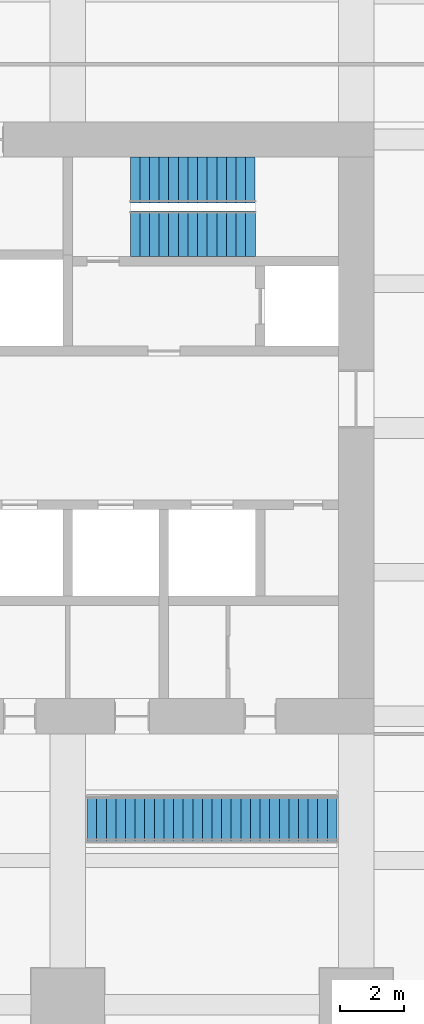
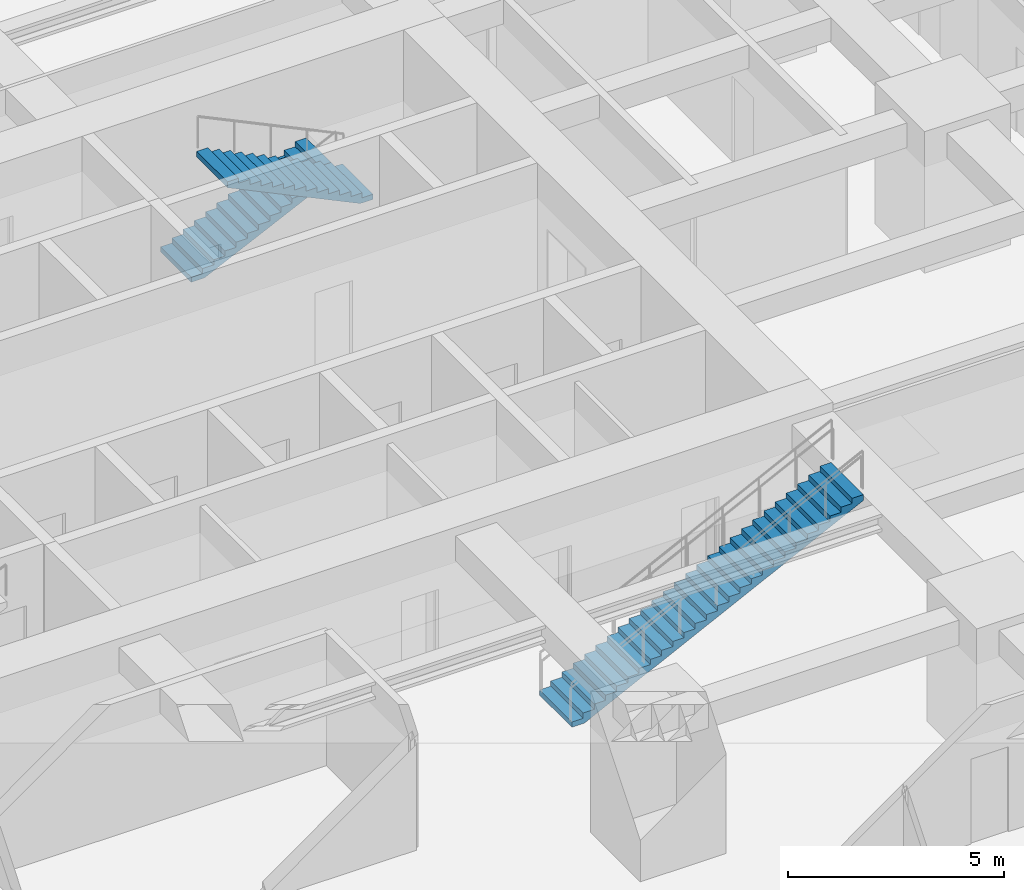
# One storey, part 43 of 45: 3 stair flights, 2 elements without a shape of their own.
"""IFC4 building model written with IfcOpenShell, lengths in metres."""

from ifc_helpers import new_model, si_unit, direction, frame, origin, place, context, subcontext, project, spatial, polyline, outline, extrude, material, constituent, constituent_set, type_object, element, aggregate, save


model = new_model("IFC4")

# Units and contexts
model_context = context("Model", 3, precision=1e-05, world=origin(), true_north=direction((0.0, 1.0)))
body_context = subcontext(model_context, "Body", "Model", "MODEL_VIEW")
ifc_project = project(units=[si_unit("LENGTHUNIT", "METRE"), si_unit("AREAUNIT", "SQUARE_METRE"), si_unit("VOLUMEUNIT", "CUBIC_METRE"), si_unit("PLANEANGLEUNIT", "RADIAN"), si_unit("MASSUNIT", "GRAM", prefix="KILO")], contexts=[model_context])

# Site, building, storey
site_placement = place(None, origin())
site = spatial("IfcSite", under=ifc_project, at=site_placement, CompositionType="ELEMENT")
building_placement = place(site_placement, origin())
building = spatial("IfcBuilding", under=site, at=building_placement, Name="Zorevar Civic Tower", CompositionType="ELEMENT")
storey_placement = place(building_placement, frame((0.0, 0.0, 23.800048828125)))
storey = spatial("IfcBuildingStorey", under=building, at=storey_placement, Name="L05", CompositionType="ELEMENT", Elevation=23.800048828125)

# Stair, stair flight
ifc_material_1 = material(Name="Steel S355", Category="steel")
ifc_constituent_1 = constituent(ifc_material_1, Name="Structure")
ifc_material_2 = material(Name="Stone treads", Category="masonry")
ifc_constituent_2 = constituent(ifc_material_2, Name="Finish")
ifc_constituent_set_1 = constituent_set(constituents=[ifc_constituent_1, ifc_constituent_2], Name="Steel S355")
stair_type_1 = type_object("IfcStairType", Name="Interconnecting stair IS1", PredefinedType="STRAIGHT_RUN_STAIR", material=ifc_constituent_set_1)
stair_1_placement = place(storey_placement, origin())
stair_1 = element("IfcStair", 1, at=stair_1_placement, inside=storey, type_object=stair_type_1, Name="Interconnecting stair IS1 L05 to L06", PredefinedType="STRAIGHT_RUN_STAIR")
ifc_material_3 = material(Name="Steel S355", Category="steel")
ifc_constituent_3 = constituent(ifc_material_3, Name="Structure")
ifc_material_4 = material(Name="Stone treads", Category="masonry")
ifc_constituent_4 = constituent(ifc_material_4, Name="Finish")
ifc_constituent_set_2 = constituent_set(constituents=[ifc_constituent_3, ifc_constituent_4], Name="Steel S355")
stair_flight_type_1 = type_object("IfcStairFlightType", Name="Interconnecting stair flight", PredefinedType="STRAIGHT", material=ifc_constituent_set_2)
stair_flight_1_placement = place(storey_placement, frame((36.60009765625, 14.800048828125, 0.0), z_axis=(0.0, 0.0, 1.0), x_axis=(1.0, 0.0, 0.0)))
stair_flight_1 = element("IfcStairFlight", 2, at=stair_flight_1_placement, type_object=stair_flight_type_1, Name="IS1 flight 1", NumberOfRisers=27, NumberOfTreads=26, PredefinedType="STRAIGHT", RiserHeight=0.148148148, TreadLength=0.3, context=body_context, shape_type="SweptSolid", body=[
    extrude(outline(polyline([(0.0, 0.0), (0.0, 0.148193359375), (0.300048828125, 0.148193359375), (0.300048828125, 0.29638671875), (0.60009765625, 0.29638671875), (0.60009765625, 0.4443359375), (0.89990234375, 0.4443359375), (0.89990234375, 0.592529296875), (1.199951171875, 0.592529296875), (1.199951171875, 0.74072265625), (1.5, 0.74072265625), (1.5, 0.888916015625), (1.800048828125, 0.888916015625), (1.800048828125, 1.037109375), (2.10009765625, 1.037109375), (2.10009765625, 1.185302734375), (2.39990234375, 1.185302734375), (2.39990234375, 1.333251953125), (2.699951171875, 1.333251953125), (2.699951171875, 1.4814453125), (3.0, 1.4814453125), (3.0, 1.629638671875), (3.300048828125, 1.629638671875), (3.300048828125, 1.77783203125), (3.60009765625, 1.77783203125), (3.60009765625, 1.926025390625), (3.89990234375, 1.926025390625), (3.89990234375, 2.073974609375), (4.199951171875, 2.073974609375), (4.199951171875, 2.22216796875), (4.5, 2.22216796875), (4.5, 2.370361328125), (4.800048828125, 2.370361328125), (4.800048828125, 2.5185546875), (5.10009765625, 2.5185546875), (5.10009765625, 2.666748046875), (5.39990234375, 2.666748046875), (5.39990234375, 2.814697265625), (5.699951171875, 2.814697265625), (5.699951171875, 2.962890625), (6.0, 2.962890625), (6.0, 3.111083984375), (6.300048828125, 3.111083984375), (6.300048828125, 3.25927734375), (6.60009765625, 3.25927734375), (6.60009765625, 3.407470703125), (6.89990234375, 3.407470703125), (6.89990234375, 3.5556640625), (7.199951171875, 3.5556640625), (7.199951171875, 3.70361328125), (7.5, 3.70361328125), (7.5, 3.851806640625), (7.800048828125, 3.851806640625), (7.800048828125, 4.0), (7.800048828125, 3.6845703125), (0.338623046875, 0.0), (0.0, 0.0)])), frame((0.0, 0.75, 0.0), z_axis=(0.0, -1.0, 0.0), x_axis=(1.0, 0.0, 0.0)), (0.0, 0.0, 1.0), 1.5),
])
aggregate(stair_1, [stair_flight_1])

# Stair, stair flights
ifc_material_5 = material(Name="Precast concrete C40/50", Category="concrete")
stair_type_2 = type_object("IfcStairType", Name="Stair ST 28R", PredefinedType="HALF_TURN_STAIR", material=ifc_material_5)
stair_2_placement = place(storey_placement, origin())
stair_2 = element("IfcStair", 3, at=stair_2_placement, inside=storey, type_object=stair_type_2, Name="Stair ST2 L05", PredefinedType="HALF_TURN_STAIR")
ifc_material_6 = material(Name="Precast concrete C40/50", Category="concrete")
stair_flight_type_2 = type_object("IfcStairFlightType", Name="Stair flight", PredefinedType="STRAIGHT", material=ifc_material_6)
stair_flight_2_placement = place(storey_placement, frame((37.949951171875, 34.737548828125, 0.0), z_axis=(0.0, 0.0, 1.0), x_axis=(1.0, 0.0, 0.0)))
stair_flight_2 = element("IfcStairFlight", 4, at=stair_flight_2_placement, type_object=stair_flight_type_2, Name="ST2 flight 1", NumberOfRisers=14, NumberOfTreads=13, PredefinedType="STRAIGHT", RiserHeight=0.142857143, TreadLength=0.3, context=body_context, shape_type="SweptSolid", body=[
    extrude(outline(polyline([(0.0, 0.0), (0.0, 0.142822265625), (0.300048828125, 0.142822265625), (0.300048828125, 0.28564453125), (0.60009765625, 0.28564453125), (0.60009765625, 0.428466796875), (0.89990234375, 0.428466796875), (0.89990234375, 0.571533203125), (1.199951171875, 0.571533203125), (1.199951171875, 0.71435546875), (1.5, 0.71435546875), (1.5, 0.857177734375), (1.800048828125, 0.857177734375), (1.800048828125, 1.0), (2.10009765625, 1.0), (2.10009765625, 1.142822265625), (2.39990234375, 1.142822265625), (2.39990234375, 1.28564453125), (2.699951171875, 1.28564453125), (2.699951171875, 1.428466796875), (3.0, 1.428466796875), (3.0, 1.571533203125), (3.300048828125, 1.571533203125), (3.300048828125, 1.71435546875), (3.60009765625, 1.71435546875), (3.60009765625, 1.857177734375), (3.89990234375, 1.857177734375), (3.89990234375, 2.0), (3.89990234375, 1.691162109375), (0.3486328125, 0.0), (0.0, 0.0)])), frame((0.0, 0.71240234375, 0.0), z_axis=(0.0, -1.0, 0.0), x_axis=(1.0, 0.0, 0.0)), (0.0, 0.0, 1.0), 1.425048828125),
])
stair_flight_3_placement = place(storey_placement, frame((41.85009765625, 33.0625, 2.0), z_axis=(0.0, 0.0, 1.0), x_axis=(-1.0, 0.0, 0.0)))
stair_flight_3 = element("IfcStairFlight", 5, at=stair_flight_3_placement, type_object=stair_flight_type_2, Name="ST2 flight 2", NumberOfRisers=14, NumberOfTreads=13, PredefinedType="STRAIGHT", RiserHeight=0.142857143, TreadLength=0.3, context=body_context, shape_type="SweptSolid", body=[
    extrude(outline(polyline([(0.0, 0.0), (0.0, 0.142822265625), (0.300048828125, 0.142822265625), (0.300048828125, 0.28564453125), (0.60009765625, 0.28564453125), (0.60009765625, 0.428466796875), (0.89990234375, 0.428466796875), (0.89990234375, 0.571533203125), (1.199951171875, 0.571533203125), (1.199951171875, 0.71435546875), (1.5, 0.71435546875), (1.5, 0.857177734375), (1.800048828125, 0.857177734375), (1.800048828125, 1.0), (2.10009765625, 1.0), (2.10009765625, 1.142822265625), (2.39990234375, 1.142822265625), (2.39990234375, 1.28564453125), (2.699951171875, 1.28564453125), (2.699951171875, 1.428466796875), (3.0, 1.428466796875), (3.0, 1.571533203125), (3.300048828125, 1.571533203125), (3.300048828125, 1.71435546875), (3.60009765625, 1.71435546875), (3.60009765625, 1.857177734375), (3.89990234375, 1.857177734375), (3.89990234375, 2.0), (3.89990234375, 1.691162109375), (0.3486328125, 0.0), (0.0, 0.0)])), frame((0.0, 0.71240234375, 0.0), z_axis=(0.0, -1.0, 0.0), x_axis=(1.0, 0.0, 0.0)), (0.0, 0.0, 1.0), 1.425048828125),
])
aggregate(stair_2, [stair_flight_2, stair_flight_3])

save(model, "model.ifc")
